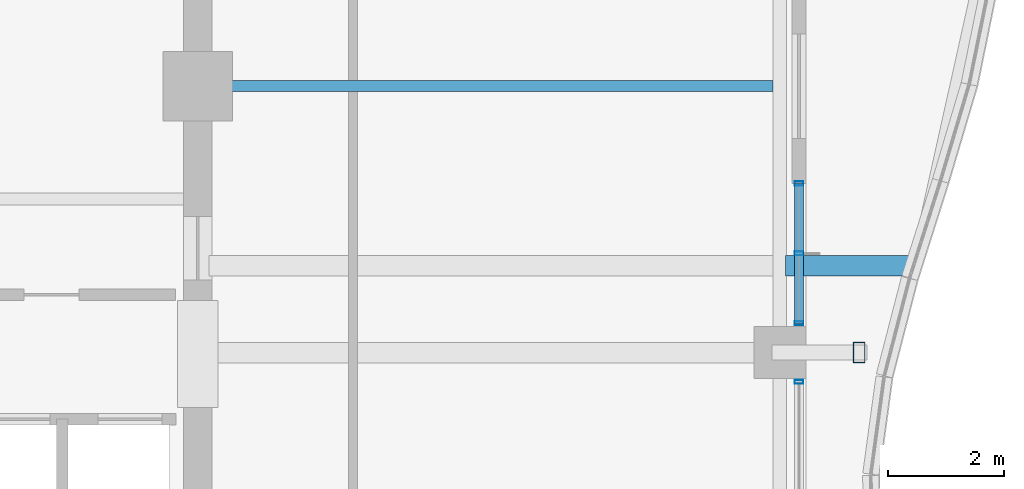
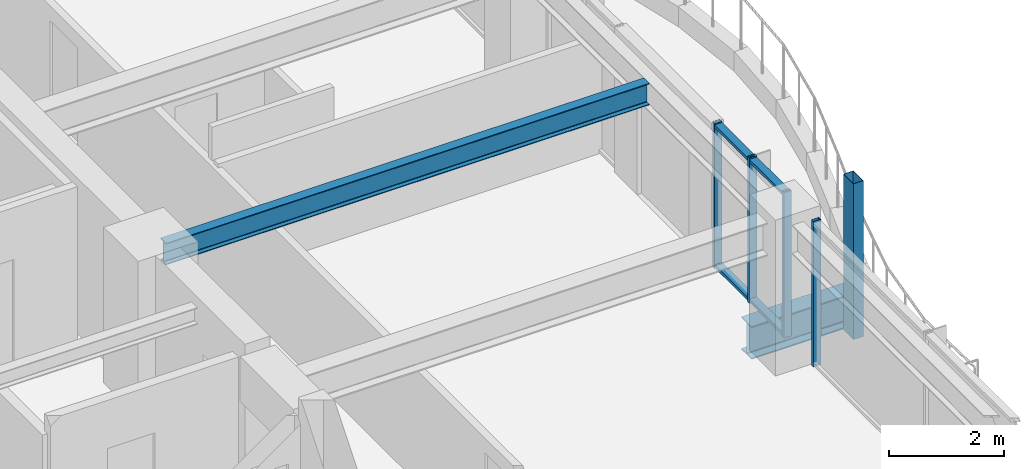
# One storey, part 13 of 35: 7 members, 2 beams, 2 elements without a shape of their own.
"""IFC4 building model written with IfcOpenShell, lengths in metres."""

from ifc_helpers import new_model, si_unit, direction, frame, origin, origin_2d, place, context, subcontext, project, spatial, hollow_rectangle, i_section, extrude, material, material_profile, profile_set, type_object, element, aggregate, save


model = new_model("IFC4")

# Units and contexts
model_context = context("Model", 3, precision=1e-05, world=origin(), true_north=direction((0.0, 1.0)))
body_context = subcontext(model_context, "Body", "Model", "MODEL_VIEW")
ifc_project = project(units=[si_unit("LENGTHUNIT", "METRE"), si_unit("AREAUNIT", "SQUARE_METRE"), si_unit("VOLUMEUNIT", "CUBIC_METRE"), si_unit("PLANEANGLEUNIT", "RADIAN"), si_unit("MASSUNIT", "GRAM", prefix="KILO")], contexts=[model_context])

# Site, building, storey
site_placement = place(None, origin())
site = spatial("IfcSite", under=ifc_project, at=site_placement, CompositionType="ELEMENT")
building_placement = place(site_placement, origin())
building = spatial("IfcBuilding", under=site, at=building_placement, Name="Kolvaren Belvedere", CompositionType="ELEMENT")
storey_placement = place(building_placement, frame((0.0, 0.0, 176.699951171875)))
storey = spatial("IfcBuildingStorey", under=building, at=storey_placement, Name="L51", CompositionType="ELEMENT", Elevation=176.699951171875)

# Beams
ifc_material_1 = material(Name="Structural steel ASTM A992 Grade 50", Category="steel")
ifc_material_profile_1 = material_profile(ifc_material_1, i_section(OverallWidth=0.35498046875, OverallDepth=0.696044921875, WebThickness=0.015380859375, FlangeThickness=0.02490234375, FilletRadius=0.02197265625, at=origin_2d()), Name="W27X146")
ifc_profile_set_1 = profile_set([ifc_material_profile_1], Name="Structural steel ASTM A992 Grade 50")
beam_type_1 = type_object("IfcBeamType", Name="BM-CANT-BAL", PredefinedType="BEAM", material=ifc_profile_set_1)
beam_1_placement = place(storey_placement, frame((20.044921875, -3.10009765625, -0.56787109375), z_axis=(1.0, 0.0, 0.0), x_axis=(0.0, 1.0, 0.0)))
element("IfcBeam", 1, at=beam_1_placement, inside=storey, type_object=beam_type_1, Name="L51 Planted Balcony Cantilever BAL-E-1", PredefinedType="BEAM", context=body_context, shape_type="SweptSolid", body=[
    extrude(i_section(OverallWidth=0.35498046875, OverallDepth=0.696044921875, WebThickness=0.015380859375, FlangeThickness=0.02490234375, FilletRadius=0.02197265625, at=origin_2d()), origin(), (0.0, 0.0, 1.0), 2.239990234375),
])
ifc_material_2 = material(Name="Structural steel ASTM A992 Grade 50", Category="steel")
ifc_material_profile_2 = material_profile(ifc_material_2, i_section(OverallWidth=0.19091796875, OverallDepth=0.4599609375, WebThickness=0.010009765625, FlangeThickness=0.01611328125, FilletRadius=0.014892578125, at=origin_2d()), Name="W18X55")
ifc_profile_set_2 = profile_set([ifc_material_profile_2], Name="Structural steel ASTM A992 Grade 50")
beam_type_2 = type_object("IfcBeamType", Name="BM-JOIST-W18X55", PredefinedType="BEAM", material=ifc_profile_set_2)
beam_2_placement = place(storey_placement, frame((10.14990234375, 0.0, 2.85009765625), z_axis=(1.0, 0.0, 0.0), x_axis=(0.0, 1.0, 0.0)))
element("IfcBeam", 2, at=beam_2_placement, inside=storey, type_object=beam_type_2, Name="L51 East Centre Floor Beam", PredefinedType="BEAM", context=body_context, shape_type="SweptSolid", body=[
    extrude(i_section(OverallWidth=0.19091796875, OverallDepth=0.4599609375, WebThickness=0.010009765625, FlangeThickness=0.01611328125, FilletRadius=0.014892578125, at=origin_2d()), origin(), (0.0, 0.0, 1.0), 9.685546875),
])

# Curtain wall, members
ifc_material_3 = material(Name="Anodised pale-metal aluminium AA 6063-T6", Category="aluminium")
curtain_wall_type = type_object("IfcCurtainWallType", Name="CW-Z5-HIGH", PredefinedType="NOTDEFINED", material=ifc_material_3)
curtain_wall_1_placement = place(storey_placement, origin())
curtain_wall_1 = element("IfcCurtainWall", 3, at=curtain_wall_1_placement, inside=storey, type_object=curtain_wall_type, Name="L51 Unitised Curtain Wall FCW-L51-E2-B1", PredefinedType="NOTDEFINED")
ifc_material_4 = material(Name="Anodised pale-metal aluminium AA 6063-T6", Category="aluminium")
ifc_material_profile_3 = material_profile(ifc_material_4, hollow_rectangle(XDim=0.070068359375, YDim=0.14990234375, WallThickness=0.004150390625, at=origin_2d()), Name="ALU-MUL-150X70")
ifc_profile_set_3 = profile_set([ifc_material_profile_3], Name="Anodised pale-metal aluminium AA 6063-T6")
member_type_1 = type_object("IfcMemberType", Name="CW-MUL-150", PredefinedType="MULLION", material=ifc_profile_set_3)
member_1_placement = place(storey_placement, frame((20.280029296875, -1.679931640625, 0.0), z_axis=(0.0, 0.0, 1.0), x_axis=(0.0, 1.0, 0.0)))
member_1 = element("IfcMember", 4, at=member_1_placement, type_object=member_type_1, Name="FCW-L51-E2-B1 Unitised Mullion 1", PredefinedType="MULLION", context=body_context, shape_type="SweptSolid", body=[
    extrude(hollow_rectangle(XDim=0.070068359375, YDim=0.14990234375, WallThickness=0.004150390625, at=origin_2d()), origin(), (0.0, 0.0, 1.0), 3.080078125),
])
member_2_placement = place(storey_placement, frame((20.280029296875, -2.887451171875, 0.0), z_axis=(0.0, 0.0, 1.0), x_axis=(0.0, 1.0, 0.0)))
member_2 = element("IfcMember", 5, at=member_2_placement, type_object=member_type_1, Name="FCW-L51-E2-B1 Unitised Mullion 2", PredefinedType="MULLION", context=body_context, shape_type="SweptSolid", body=[
    extrude(hollow_rectangle(XDim=0.070068359375, YDim=0.14990234375, WallThickness=0.004150390625, at=origin_2d()), origin(), (0.0, 0.0, 1.0), 3.080078125),
])
member_3_placement = place(storey_placement, frame((20.280029296875, -4.094970703125, 0.0), z_axis=(0.0, 0.0, 1.0), x_axis=(0.0, 1.0, 0.0)))
member_3 = element("IfcMember", 6, at=member_3_placement, type_object=member_type_1, Name="FCW-L51-E2-B1 Unitised Mullion 3", PredefinedType="MULLION", context=body_context, shape_type="SweptSolid", body=[
    extrude(hollow_rectangle(XDim=0.070068359375, YDim=0.14990234375, WallThickness=0.004150390625, at=origin_2d()), origin(), (0.0, 0.0, 1.0), 3.080078125),
])

# Curtain wall, member
curtain_wall_2_placement = place(storey_placement, origin())
curtain_wall_2 = element("IfcCurtainWall", 7, at=curtain_wall_2_placement, inside=storey, type_object=curtain_wall_type, Name="L51 Unitised Curtain Wall FCW-L51-E2-B2", PredefinedType="NOTDEFINED")
member_4_placement = place(storey_placement, frame((20.280029296875, -5.10498046875, 0.0), z_axis=(0.0, 0.0, 1.0), x_axis=(0.0, 1.0, 0.0)))
member_4 = element("IfcMember", 8, at=member_4_placement, type_object=member_type_1, Name="FCW-L51-E2-B2 Unitised Mullion 1", PredefinedType="MULLION", context=body_context, shape_type="SweptSolid", body=[
    extrude(hollow_rectangle(XDim=0.070068359375, YDim=0.14990234375, WallThickness=0.004150390625, at=origin_2d()), origin(), (0.0, 0.0, 1.0), 3.080078125),
])
aggregate(curtain_wall_2, [member_4])

# Member
ifc_material_5 = material(Name="Anodised pale-metal aluminium AA 6063-T6", Category="aluminium")
ifc_material_profile_4 = material_profile(ifc_material_5, hollow_rectangle(XDim=0.06494140625, YDim=0.14990234375, WallThickness=0.00390625, at=origin_2d()), Name="ALU-TRN-150X65")
ifc_profile_set_4 = profile_set([ifc_material_profile_4], Name="Anodised pale-metal aluminium AA 6063-T6")
member_type_2 = type_object("IfcMemberType", Name="CW-TRN-150", PredefinedType="USERDEFINED", material=ifc_profile_set_4)
member_5_placement = place(storey_placement, frame((20.280029296875, -1.679931640625, 0.06005859375), z_axis=(0.0, -1.0, 0.0), x_axis=(0.0, 0.0, 1.0)))
member_5 = element("IfcMember", 9, at=member_5_placement, type_object=member_type_2, Name="FCW-L51-E2-B1 Sill Transom", ObjectType="TRANSOM", PredefinedType="USERDEFINED", context=body_context, shape_type="SweptSolid", body=[
    extrude(hollow_rectangle(XDim=0.06494140625, YDim=0.14990234375, WallThickness=0.00390625, at=origin_2d()), origin(), (0.0, 0.0, 1.0), 2.4150390625),
])

member_6_placement = place(storey_placement, frame((20.280029296875, -1.679931640625, 3.02001953125), z_axis=(0.0, -1.0, 0.0), x_axis=(0.0, 0.0, 1.0)))
member_6 = element("IfcMember", 10, at=member_6_placement, type_object=member_type_2, Name="FCW-L51-E2-B1 Head Transom", ObjectType="TRANSOM", PredefinedType="USERDEFINED", context=body_context, shape_type="SweptSolid", body=[
    extrude(hollow_rectangle(XDim=0.06494140625, YDim=0.14990234375, WallThickness=0.00390625, at=origin_2d()), origin(), (0.0, 0.0, 1.0), 2.4150390625),
])

aggregate(curtain_wall_1, [member_1, member_2, member_3, member_5, member_6])

ifc_material_6 = material(Name="Anodised pale-metal aluminium AA 6063-T6", Category="aluminium")
ifc_material_profile_5 = material_profile(ifc_material_6, hollow_rectangle(XDim=0.199951171875, YDim=0.35009765625, WallThickness=0.007568359375, at=origin_2d()), Name="ALU-PF-350X200")
ifc_profile_set_5 = profile_set([ifc_material_profile_5], Name="Anodised pale-metal aluminium AA 6063-T6")
member_type_3 = type_object("IfcMemberType", Name="PF-FRAME-350", PredefinedType="USERDEFINED", material=ifc_profile_set_5)
member_7_placement = place(storey_placement, frame((21.320068359375, -4.60009765625, 0.0), z_axis=(0.0, 0.0, 1.0), x_axis=(1.0, 0.0, 0.0)))
element("IfcMember", 11, at=member_7_placement, inside=storey, type_object=member_type_3, Name="L51 Outboard Picture-Frame Vertical E2", ObjectType="PICTURE FRAME FIN", PredefinedType="USERDEFINED", context=body_context, shape_type="SweptSolid", body=[
    extrude(hollow_rectangle(XDim=0.199951171875, YDim=0.35009765625, WallThickness=0.007568359375, at=origin_2d()), origin(), (0.0, 0.0, 1.0), 3.300048828125),
])

save(model, "model.ifc")
